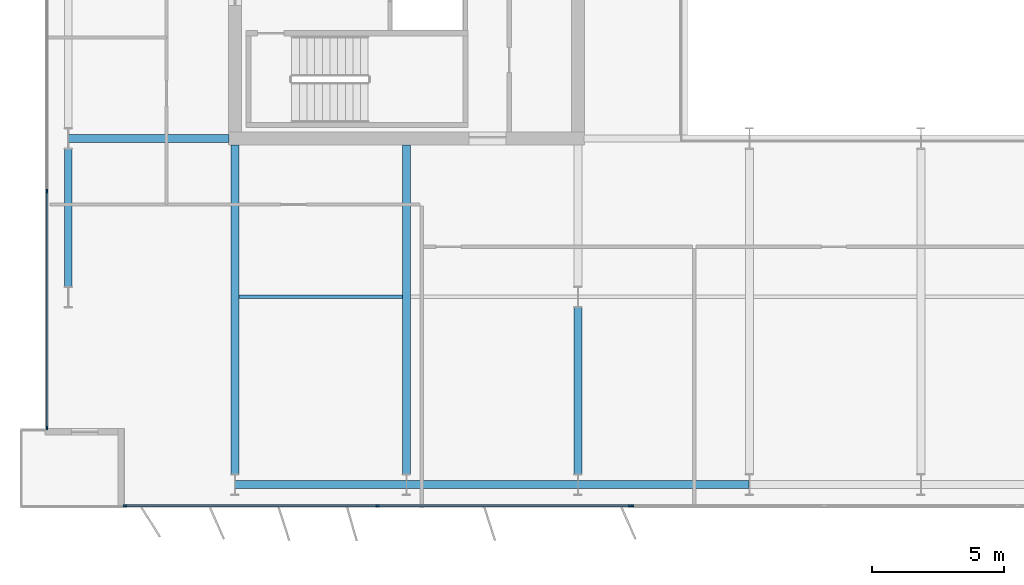
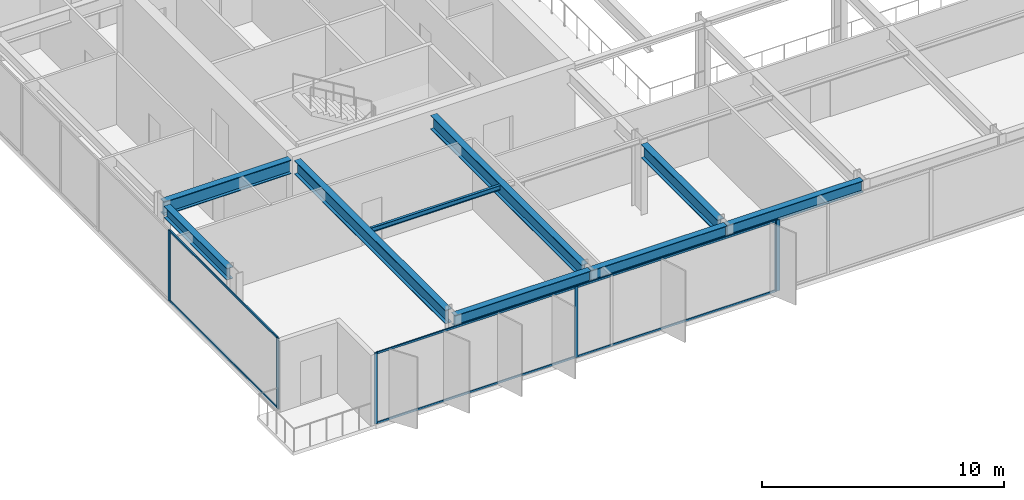
# One storey, part 3 of 23: 12 members, 9 beams, 3 elements without a shape of their own.
"""IFC4 building model written with IfcOpenShell, lengths in metres."""

from ifc_helpers import new_model, si_unit, direction, frame, origin, origin_2d, place, context, subcontext, project, spatial, rectangle, i_section, extrude, material, layer, layer_set, material_profile, profile_set, type_object, element, aggregate, save


model = new_model("IFC4")

# Units and contexts
model_context = context("Model", 3, precision=1e-05, world=origin(), true_north=direction((0.0, 1.0)))
body_context = subcontext(model_context, "Body", "Model", "MODEL_VIEW")
ifc_project = project(units=[si_unit("LENGTHUNIT", "METRE"), si_unit("AREAUNIT", "SQUARE_METRE"), si_unit("VOLUMEUNIT", "CUBIC_METRE"), si_unit("PLANEANGLEUNIT", "RADIAN"), si_unit("MASSUNIT", "GRAM", prefix="KILO")], contexts=[model_context])

# Site, building, storey
site_placement = place(None, origin())
site = spatial("IfcSite", under=ifc_project, at=site_placement, CompositionType="ELEMENT")
building_placement = place(site_placement, origin())
building = spatial("IfcBuilding", under=site, at=building_placement, Name="Putna Gate Headquarters", CompositionType="ELEMENT")
storey_placement = place(building_placement, frame((0.0, 0.0, 225.199951171875)))
storey = spatial("IfcBuildingStorey", under=building, at=storey_placement, Name="L56", CompositionType="ELEMENT", Elevation=225.199951171875)

# Beams
ifc_material_1 = material(Name="Steel S355J2", Category="steel")
ifc_material_profile_1 = material_profile(ifc_material_1, i_section(OverallWidth=0.300048828125, OverallDepth=0.699951171875, WebThickness=0.01708984375, FlangeThickness=0.031982421875, at=origin_2d()), Name="Steel S355J2")
ifc_profile_set_1 = profile_set([ifc_material_profile_1], Name="Steel S355J2")
beam_type_1 = type_object("IfcBeamType", Name="BM-GIRD-B-HEB700", PredefinedType="USERDEFINED", material=ifc_profile_set_1)
beam_1_placement = place(storey_placement, frame((6.68603515625, 19.0, 3.22998046875), z_axis=(1.0, 0.0, 0.0), x_axis=(0.0, 1.0, 0.0)))
element("IfcBeam", 1, at=beam_1_placement, inside=storey, type_object=beam_type_1, Name="L56 West Wing Girder Y19", ObjectType="GIRDER", PredefinedType="USERDEFINED", context=body_context, shape_type="SweptSolid", body=[
    extrude(i_section(OverallWidth=0.300048828125, OverallDepth=0.699951171875, WebThickness=0.01708984375, FlangeThickness=0.031982421875, at=origin_2d()), origin(), (0.0, 0.0, 1.0), 6.078857421875),
])
for number, where, z_axis, x_axis, name in (
    (2, (13.0, 6.27490234375, 3.22998046875), (0.0, 1.0, 0.0), (-1.0, 0.0, 0.0), "L56 South Primary Girder X13"),
    (3, (19.5, 6.27490234375, 3.22998046875), (0.0, 1.0, 0.0), (-1.0, 0.0, 0.0), "L56 South Primary Girder X19"),
):
    element("IfcBeam", number, at=place(storey_placement, frame(where, z_axis=z_axis, x_axis=x_axis)), inside=storey, type_object=beam_type_1, Name=name, ObjectType="GIRDER", PredefinedType="USERDEFINED", context=body_context, shape_type="SweptSolid", body=[
        extrude(i_section(OverallWidth=0.300048828125, OverallDepth=0.699951171875, WebThickness=0.01708984375, FlangeThickness=0.031982421875, at=origin_2d()), origin(), (0.0, 0.0, 1.0), 12.489990234375),
    ])
beam_2_placement = place(storey_placement, frame((26.0, 6.27490234375, 3.22998046875), z_axis=(0.0, 1.0, 0.0), x_axis=(-1.0, 0.0, 0.0)))
element("IfcBeam", 4, at=beam_2_placement, inside=storey, type_object=beam_type_1, Name="L56 South Primary Girder X26-1", ObjectType="GIRDER", PredefinedType="USERDEFINED", context=body_context, shape_type="SweptSolid", body=[
    extrude(i_section(OverallWidth=0.300048828125, OverallDepth=0.699951171875, WebThickness=0.01708984375, FlangeThickness=0.031982421875, at=origin_2d()), origin(), (0.0, 0.0, 1.0), 6.330078125),
])
ifc_material_profile_2 = material_profile(ifc_material_1, i_section(OverallWidth=0.1201171875, OverallDepth=0.239990234375, WebThickness=0.006103515625, FlangeThickness=0.009765625, at=origin_2d()), Name="Steel S355J2")
ifc_profile_set_2 = profile_set([ifc_material_profile_2], Name="Steel S355J2")
beam_type_2 = type_object("IfcBeamType", Name="BM-SEC-Z4-IPE240", PredefinedType="JOIST", material=ifc_profile_set_2)
beam_3_placement = place(storey_placement, frame((13.154052734375, 13.0, 3.4599609375), z_axis=(1.0, 0.0, 0.0), x_axis=(0.0, 1.0, 0.0)))
element("IfcBeam", 5, at=beam_3_placement, inside=storey, type_object=beam_type_2, Name="L56 South Secondary Beam 1", PredefinedType="JOIST", context=body_context, shape_type="SweptSolid", body=[
    extrude(i_section(OverallWidth=0.1201171875, OverallDepth=0.239990234375, WebThickness=0.006103515625, FlangeThickness=0.009765625, at=origin_2d()), origin(), (0.0, 0.0, 1.0), 6.19189453125),
])
ifc_material_profile_3 = material_profile(ifc_material_1, i_section(OverallWidth=0.300048828125, OverallDepth=0.590087890625, WebThickness=0.012939453125, FlangeThickness=0.02490234375, at=origin_2d()), Name="Steel S355J2")
ifc_profile_set_3 = profile_set([ifc_material_profile_3], Name="Steel S355J2")
beam_type_3 = type_object("IfcBeamType", Name="BM-SPAN-Z4-HEA600", PredefinedType="SPANDREL", material=ifc_profile_set_3)
for number, where, z_axis, x_axis, name in (
    (6, (13.006103515625, 5.8798828125, 3.28515625), (1.0, 0.0, 0.0), (0.0, 1.0, 0.0), "L56 S Perimeter Spandrel 1"),
    (7, (19.506103515625, 5.8798828125, 3.28515625), (1.0, 0.0, 0.0), (0.0, 1.0, 0.0), "L56 S Perimeter Spandrel 2"),
    (8, (26.006103515625, 5.8798828125, 3.28515625), (1.0, 0.0, 0.0), (0.0, 1.0, 0.0), "L56 S Perimeter Spandrel 3"),
):
    element("IfcBeam", number, at=place(storey_placement, frame(where, z_axis=z_axis, x_axis=x_axis)), inside=storey, type_object=beam_type_3, Name=name, PredefinedType="SPANDREL", context=body_context, shape_type="SweptSolid", body=[
        extrude(i_section(OverallWidth=0.300048828125, OverallDepth=0.590087890625, WebThickness=0.012939453125, FlangeThickness=0.02490234375, at=origin_2d()), origin(), (0.0, 0.0, 1.0), 6.48779296875),
    ])
beam_4_placement = place(storey_placement, frame((6.679931640625, 13.39501953125, 3.28515625), z_axis=(0.0, 1.0, 0.0), x_axis=(-1.0, 0.0, 0.0)))
element("IfcBeam", 9, at=beam_4_placement, inside=storey, type_object=beam_type_3, Name="L56 W End Spandrel 1", PredefinedType="SPANDREL", context=body_context, shape_type="SweptSolid", body=[
    extrude(i_section(OverallWidth=0.300048828125, OverallDepth=0.590087890625, WebThickness=0.012939453125, FlangeThickness=0.02490234375, at=origin_2d()), origin(), (0.0, 0.0, 1.0), 5.2099609375),
])

# Curtain wall, members
ifc_material_2 = material(Name="Anodised bronze aluminium curtain wall", Category="aluminium")
ifc_layer_1 = layer(ifc_material_2, 0.139892578125)
ifc_layer_set_1 = layer_set([ifc_layer_1], Name="Anodised bronze aluminium curtain wall")
curtain_wall_type_1 = type_object("IfcCurtainWallType", Name="CW-SYS-Z4", PredefinedType="USERDEFINED", material=ifc_layer_set_1)
curtain_wall_1_placement = place(storey_placement, origin())
curtain_wall_1 = element("IfcCurtainWall", 10, at=curtain_wall_1_placement, inside=storey, type_object=curtain_wall_type_1, Name="L56 South West Curtain Wall", ObjectType="STICK CURTAIN WALL", PredefinedType="USERDEFINED")
ifc_material_3 = material(Name="Anodised bronze aluminium EN AW-6060", Category="aluminium")
ifc_material_profile_4 = material_profile(ifc_material_3, rectangle(XDim=0.06005859375, YDim=0.139892578125, at=origin_2d()), Name="Anodised bronze aluminium EN AW-6060")
ifc_profile_set_4 = profile_set([ifc_material_profile_4], Name="Anodised bronze aluminium EN AW-6060")
member_type_1 = type_object("IfcMemberType", Name="MULL-CWM-4", PredefinedType="MULLION", material=ifc_profile_set_4)
member_1_placement = place(storey_placement, frame((8.830078125, 5.080078125, 0.0), z_axis=(0.0, 0.0, 1.0), x_axis=(0.0, 1.0, 0.0)))
member_1 = element("IfcMember", 11, at=member_1_placement, type_object=member_type_1, Name="CWS-4 mullion 1", PredefinedType="MULLION", context=body_context, shape_type="SweptSolid", body=[
    extrude(rectangle(XDim=0.06005859375, YDim=0.139892578125, at=origin_2d()), origin(), (0.0, 0.0, 1.0), 3.580078125),
])
member_2_placement = place(storey_placement, frame((18.39990234375, 5.080078125, 0.0), z_axis=(0.0, 0.0, 1.0), x_axis=(0.0, 1.0, 0.0)))
member_2 = element("IfcMember", 12, at=member_2_placement, type_object=member_type_1, Name="CWS-4 mullion 2", PredefinedType="MULLION", context=body_context, shape_type="SweptSolid", body=[
    extrude(rectangle(XDim=0.06005859375, YDim=0.139892578125, at=origin_2d()), origin(), (0.0, 0.0, 1.0), 3.580078125),
])
member_3_placement = place(storey_placement, frame((27.969970703125, 5.080078125, 0.0), z_axis=(0.0, 0.0, 1.0), x_axis=(0.0, 1.0, 0.0)))
member_3 = element("IfcMember", 13, at=member_3_placement, type_object=member_type_1, Name="CWS-4 mullion 3", PredefinedType="MULLION", context=body_context, shape_type="SweptSolid", body=[
    extrude(rectangle(XDim=0.06005859375, YDim=0.139892578125, at=origin_2d()), origin(), (0.0, 0.0, 1.0), 3.580078125),
])

curtain_wall_2_placement = place(storey_placement, origin())
curtain_wall_2 = element("IfcCurtainWall", 14, at=curtain_wall_2_placement, inside=storey, type_object=curtain_wall_type_1, Name="L56 West Curtain Wall", ObjectType="STICK CURTAIN WALL", PredefinedType="USERDEFINED")
member_4_placement = place(storey_placement, frame((5.8798828125, 8.030029296875, 0.0), z_axis=(0.0, 0.0, 1.0), x_axis=(-1.0, 0.0, 0.0)))
member_4 = element("IfcMember", 15, at=member_4_placement, type_object=member_type_1, Name="CWS-4 mullion 1", PredefinedType="MULLION", context=body_context, shape_type="SweptSolid", body=[
    extrude(rectangle(XDim=0.06005859375, YDim=0.139892578125, at=origin_2d()), origin(), (0.0, 0.0, 1.0), 3.580078125),
])
member_5_placement = place(storey_placement, frame((5.8798828125, 17.0, 0.0), z_axis=(0.0, 0.0, 1.0), x_axis=(-1.0, 0.0, 0.0)))
member_5 = element("IfcMember", 16, at=member_5_placement, type_object=member_type_1, Name="CWS-4 mullion 2", PredefinedType="MULLION", context=body_context, shape_type="SweptSolid", body=[
    extrude(rectangle(XDim=0.06005859375, YDim=0.139892578125, at=origin_2d()), origin(), (0.0, 0.0, 1.0), 3.580078125),
])

# Curtain wall, member
ifc_layer_2 = layer(ifc_material_2, 0.179931640625)
ifc_layer_set_2 = layer_set([ifc_layer_2], Name="Anodised bronze aluminium curtain wall")
curtain_wall_type_2 = type_object("IfcCurtainWallType", Name="CW-SYS-ATR", PredefinedType="USERDEFINED", material=ifc_layer_set_2)
curtain_wall_3_placement = place(storey_placement, origin())
curtain_wall_3 = element("IfcCurtainWall", 17, at=curtain_wall_3_placement, inside=storey, type_object=curtain_wall_type_2, Name="L56 South Atrium Clear Glazing", ObjectType="ATRIUM GLAZING", PredefinedType="USERDEFINED")
ifc_material_profile_5 = material_profile(ifc_material_3, rectangle(XDim=0.070068359375, YDim=0.179931640625, at=origin_2d()), Name="Anodised bronze aluminium EN AW-6060")
ifc_profile_set_5 = profile_set([ifc_material_profile_5], Name="Anodised bronze aluminium EN AW-6060")
member_type_2 = type_object("IfcMemberType", Name="MULL-CWM-AT", PredefinedType="MULLION", material=ifc_profile_set_5)
member_6_placement = place(storey_placement, frame((28.034912109375, 5.080078125, 0.0), z_axis=(0.0, 0.0, 1.0), x_axis=(0.0, 1.0, 0.0)))
member_6 = element("IfcMember", 18, at=member_6_placement, type_object=member_type_2, Name="CWS-AT mullion 1", PredefinedType="MULLION", context=body_context, shape_type="SweptSolid", body=[
    extrude(rectangle(XDim=0.070068359375, YDim=0.179931640625, at=origin_2d()), origin(), (0.0, 0.0, 1.0), 3.580078125),
])
aggregate(curtain_wall_3, [member_6])

# Member
ifc_material_profile_6 = material_profile(ifc_material_3, rectangle(XDim=0.06005859375, YDim=0.10009765625, at=origin_2d()), Name="Anodised bronze aluminium EN AW-6060")
ifc_profile_set_6 = profile_set([ifc_material_profile_6], Name="Anodised bronze aluminium EN AW-6060")
member_type_3 = type_object("IfcMemberType", Name="TRAN-CWT-4", PredefinedType="USERDEFINED", material=ifc_profile_set_6)
member_7_placement = place(storey_placement, frame((8.860107421875, 5.080078125, 0.030029296875), z_axis=(1.0, 0.0, 0.0), x_axis=(0.0, 1.0, 0.0)))
member_7 = element("IfcMember", 19, at=member_7_placement, type_object=member_type_3, Name="CWS-4 transom 1.1", ObjectType="TRANSOM", PredefinedType="USERDEFINED", context=body_context, shape_type="SweptSolid", body=[
    extrude(rectangle(XDim=0.06005859375, YDim=0.10009765625, at=origin_2d()), origin(), (0.0, 0.0, 1.0), 9.510009765625),
])

member_8_placement = place(storey_placement, frame((8.860107421875, 5.080078125, 3.550048828125), z_axis=(1.0, 0.0, 0.0), x_axis=(0.0, 1.0, 0.0)))
member_8 = element("IfcMember", 20, at=member_8_placement, type_object=member_type_3, Name="CWS-4 transom 1.2", ObjectType="TRANSOM", PredefinedType="USERDEFINED", context=body_context, shape_type="SweptSolid", body=[
    extrude(rectangle(XDim=0.06005859375, YDim=0.10009765625, at=origin_2d()), origin(), (0.0, 0.0, 1.0), 9.510009765625),
])

member_9_placement = place(storey_placement, frame((18.429931640625, 5.080078125, 0.030029296875), z_axis=(1.0, 0.0, 0.0), x_axis=(0.0, 1.0, 0.0)))
member_9 = element("IfcMember", 21, at=member_9_placement, type_object=member_type_3, Name="CWS-4 transom 2.1", ObjectType="TRANSOM", PredefinedType="USERDEFINED", context=body_context, shape_type="SweptSolid", body=[
    extrude(rectangle(XDim=0.06005859375, YDim=0.10009765625, at=origin_2d()), origin(), (0.0, 0.0, 1.0), 9.510009765625),
])

member_10_placement = place(storey_placement, frame((18.429931640625, 5.080078125, 3.550048828125), z_axis=(1.0, 0.0, 0.0), x_axis=(0.0, 1.0, 0.0)))
member_10 = element("IfcMember", 22, at=member_10_placement, type_object=member_type_3, Name="CWS-4 transom 2.2", ObjectType="TRANSOM", PredefinedType="USERDEFINED", context=body_context, shape_type="SweptSolid", body=[
    extrude(rectangle(XDim=0.06005859375, YDim=0.10009765625, at=origin_2d()), origin(), (0.0, 0.0, 1.0), 9.510009765625),
])

aggregate(curtain_wall_1, [member_1, member_2, member_3, member_7, member_8, member_9, member_10])

member_11_placement = place(storey_placement, frame((5.8798828125, 8.06005859375, 0.030029296875), z_axis=(0.0, 1.0, 0.0), x_axis=(-1.0, 0.0, 0.0)))
member_11 = element("IfcMember", 23, at=member_11_placement, type_object=member_type_3, Name="CWS-4 transom 1.1", ObjectType="TRANSOM", PredefinedType="USERDEFINED", context=body_context, shape_type="SweptSolid", body=[
    extrude(rectangle(XDim=0.06005859375, YDim=0.10009765625, at=origin_2d()), origin(), (0.0, 0.0, 1.0), 8.909912109375),
])

member_12_placement = place(storey_placement, frame((5.8798828125, 8.06005859375, 3.550048828125), z_axis=(0.0, 1.0, 0.0), x_axis=(-1.0, 0.0, 0.0)))
member_12 = element("IfcMember", 24, at=member_12_placement, type_object=member_type_3, Name="CWS-4 transom 1.2", ObjectType="TRANSOM", PredefinedType="USERDEFINED", context=body_context, shape_type="SweptSolid", body=[
    extrude(rectangle(XDim=0.06005859375, YDim=0.10009765625, at=origin_2d()), origin(), (0.0, 0.0, 1.0), 8.909912109375),
])

aggregate(curtain_wall_2, [member_4, member_5, member_11, member_12])

save(model, "model.ifc")
